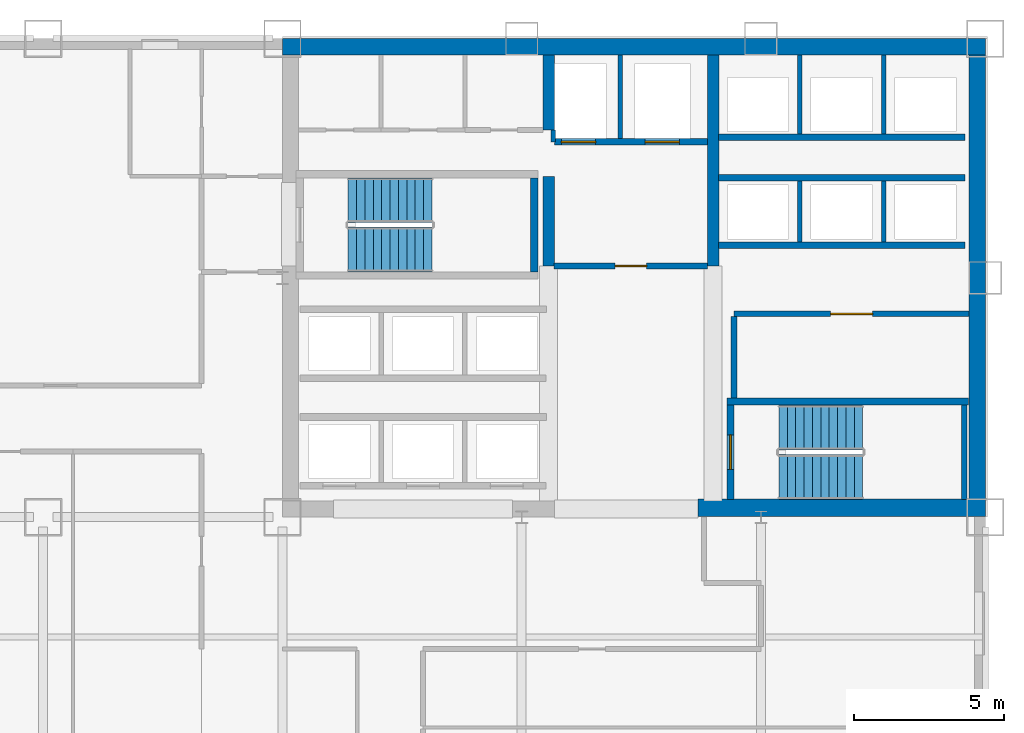
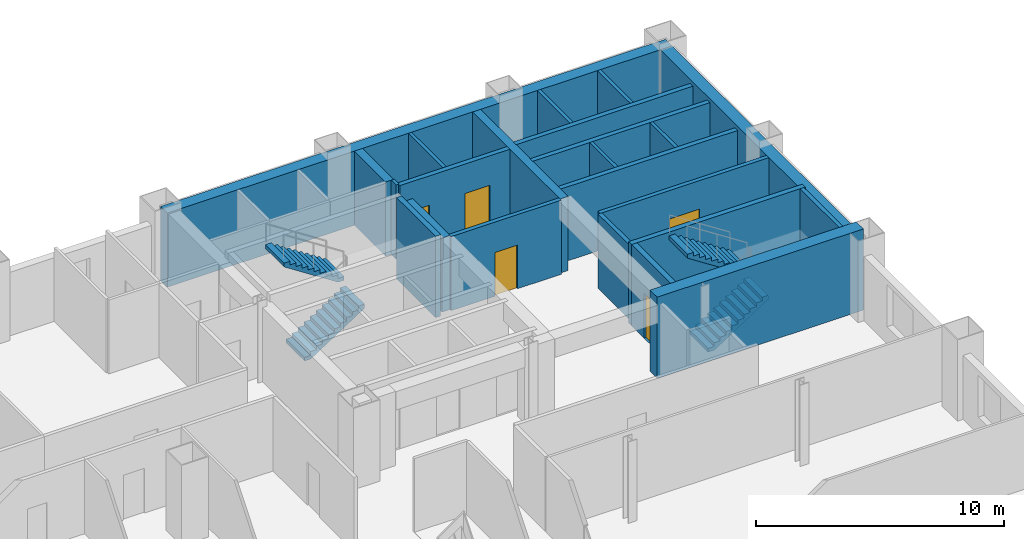
# One storey, part 7 of 9: 23 walls, 5 doors, 4 stair flights, 5 openings, 2 elements without a shape of their own.
"""IFC4 building model written with IfcOpenShell, lengths in metres."""

import ifcopenshell
import ifcopenshell.guid

model = None  # the IFC model being written
_history = None  # IfcOwnerHistory: only IFC2X3 demands one
_inside = {}  # id of a spatial element -> (the spatial element, [elements in it])
_under = {}  # id of a project, library or spatial element -> (it, [spatial elements below it])
_declared = {}  # id of a project -> (the project, [libraries it declares])
_typed = {}  # id of a type object -> (the type object, [elements of that type])
_made_of = {}  # id of a material, layer set ... -> (it, [elements and type objects made of it])


def new_model(schema):
    """Start an empty IFC model of exactly this schema.

    Asked for "IFC4X3", IfcOpenShell would pick the latest addendum, in which some entities
    have other attributes; the version numbers below select the first issue.
    IFC2X3 requires an IfcOwnerHistory on every rooted entity: one is made here for all.
    """
    global model, _history
    if schema == "IFC4X3":
        model = ifcopenshell.file(schema_version=(4, 3, 0, 0))
    else:
        model = ifcopenshell.file(schema=schema)
    _inside.clear()
    _under.clear()
    _declared.clear()
    _typed.clear()
    _made_of.clear()
    _history = None
    if model.schema == "IFC2X3":
        org = make("IfcOrganization", Name="unknown")
        user = make(
            "IfcPersonAndOrganization",
            ThePerson=make("IfcPerson", FamilyName="unknown"),
            TheOrganization=org,
        )
        app = make(
            "IfcApplication",
            ApplicationDeveloper=org,
            Version="unknown",
            ApplicationFullName="unknown",
            ApplicationIdentifier="unknown",
        )
        _history = make(
            "IfcOwnerHistory",
            OwningUser=user,
            OwningApplication=app,
            ChangeAction="ADDED",
            CreationDate=0,
        )
    return model


def make(cls, **values):
    """One entity of the class cls with the attributes given. An attribute that is None is left unset."""
    return model.create_entity(
        cls, **{name: value for name, value in values.items() if value is not None}
    )


def rooted(cls, **values):
    """An entity with a GlobalId (a new one), such as an element, a storey or a relation."""
    return make(cls, GlobalId=ifcopenshell.guid.new(), OwnerHistory=_history, **values)


def si_unit(unit_type, name, prefix=None):
    """IfcSIUnit, for example si_unit("LENGTHUNIT", "METRE", prefix="MILLI")."""
    return make("IfcSIUnit", UnitType=unit_type, Prefix=prefix, Name=name)


def assignment(units):
    """IfcUnitAssignment: the units of a project."""
    return None if units is None else make("IfcUnitAssignment", Units=units)


def point(xyz):
    """IfcCartesianPoint."""
    return None if xyz is None else make("IfcCartesianPoint", Coordinates=xyz)


def direction(xyz):
    """IfcDirection."""
    return None if xyz is None else make("IfcDirection", DirectionRatios=xyz)


def frame(location, z_axis=None, x_axis=None):
    """IfcAxis2Placement3D, a coordinate frame: its origin and axes. An axis left out is left unset."""
    return make(
        "IfcAxis2Placement3D",
        Location=point(location),
        Axis=direction(z_axis),
        RefDirection=direction(x_axis),
    )


def frame_2d(location, x_axis=None):
    """IfcAxis2Placement2D, a coordinate frame in the plane: its origin and x axis."""
    return make(
        "IfcAxis2Placement2D", Location=point(location), RefDirection=direction(x_axis)
    )


def origin():
    """The frame at (0, 0, 0) with its axes left unset."""
    return frame((0.0, 0.0, 0.0))


def place(relative_to, where):
    """IfcLocalPlacement: puts the frame where relative to a parent placement (None: the world)."""
    return make(
        "IfcLocalPlacement", PlacementRelTo=relative_to, RelativePlacement=where
    )


def context(
    kind, dimensions, precision=None, world=None, true_north=None, identifier=None
):
    """IfcGeometricRepresentationContext, for example the 3D "Model" context."""
    return make(
        "IfcGeometricRepresentationContext",
        ContextIdentifier=identifier,
        ContextType=kind,
        CoordinateSpaceDimension=dimensions,
        Precision=precision,
        WorldCoordinateSystem=world,
        TrueNorth=true_north,
    )


def subcontext(parent, identifier, kind, view, scale=None):
    """IfcGeometricRepresentationSubContext, for example "Body" below "Model"."""
    return make(
        "IfcGeometricRepresentationSubContext",
        ContextIdentifier=identifier,
        ContextType=kind,
        ParentContext=parent,
        TargetScale=scale,
        TargetView=view,
    )


def project(units=None, contexts=None):
    """IfcProject with its units and contexts."""
    return rooted(
        "IfcProject",
        Name="project",
        RepresentationContexts=contexts,
        UnitsInContext=assignment(units),
    )


def spatial(cls, under=None, at=None, **own):
    """A site, building, storey or space (cls), placed at a placement, below another one or the project."""
    s = rooted(cls, ObjectPlacement=at, **own)
    if under is not None:
        _under.setdefault(under.id(), (under, []))[1].append(s)
    return s


def polyline(points):
    """IfcPolyline through the points."""
    return make("IfcPolyline", Points=[point(p) for p in points])


def profile(cls, at=None, kind="AREA", **sizes):
    """A parametric profile (cls). Its sizes go by their IFC names, for example OverallWidth=200.0."""
    return make(cls, ProfileType=kind, Position=at, **sizes)


def rectangle(**sizes):
    """IfcRectangleProfileDef."""
    return profile("IfcRectangleProfileDef", **sizes)


def outline(outer, holes=None, kind="AREA"):
    """IfcArbitraryClosedProfileDef: a profile drawn as a closed curve; with holes, ...WithVoids."""
    if holes is None:
        return make("IfcArbitraryClosedProfileDef", ProfileType=kind, OuterCurve=outer)
    return make(
        "IfcArbitraryProfileDefWithVoids",
        ProfileType=kind,
        OuterCurve=outer,
        InnerCurves=holes,
    )


def extrude(swept, where, along, depth):
    """IfcExtrudedAreaSolid: the profile swept, set in the frame where, extruded along a direction by depth."""
    return make(
        "IfcExtrudedAreaSolid",
        SweptArea=swept,
        Position=where,
        ExtrudedDirection=direction(along),
        Depth=depth,
    )


def shape(context_of_items, identifier, shape_type, items):
    """IfcShapeRepresentation: the items that make up one representation, for example the "Body"."""
    return make(
        "IfcShapeRepresentation",
        ContextOfItems=context_of_items,
        RepresentationIdentifier=identifier,
        RepresentationType=shape_type,
        Items=items,
    )


def material(Name=None, Category=None):
    """IfcMaterial."""
    return make("IfcMaterial", Name=Name, Category=Category)


def layer(
    of_material, thickness, ventilated=None, Name=None, Category=None, Priority=None
):
    """IfcMaterialLayer: one layer of a wall or slab, of a material (None: an air gap)."""
    return make(
        "IfcMaterialLayer",
        Material=of_material,
        LayerThickness=thickness,
        IsVentilated=ventilated,
        Name=Name,
        Category=Category,
        Priority=Priority,
    )


def layer_set(layers, Name=None):
    """IfcMaterialLayerSet."""
    return make("IfcMaterialLayerSet", MaterialLayers=layers, LayerSetName=Name)


def made_of(thing, what):
    """Note that an element or type object is made of a material, layer set ...; save() writes the relation."""
    if what is not None:
        _made_of.setdefault(what.id(), (what, []))[1].append(thing)
    return thing


def type_object(cls, material=None, **own):
    """A type object (cls), such as IfcWallType, which elements share."""
    return made_of(rooted(cls, **own), material)


def element(
    cls,
    number,
    at=None,
    inside=None,
    cuts=None,
    type_object=None,
    material=None,
    context=None,
    identifier="Body",
    shape_type=None,
    held_by="IfcProductDefinitionShape",
    body=None,
    shapes=None,
    **own,
):
    """One element of the class cls, such as IfcWall. Its Tag is "e" and its number.

    at: its placement. inside: the storey or other place that contains it. cuts: it is an
    opening in that element (IfcRelVoidsElement). A single representation is given by context,
    identifier, shape_type and body (its items); several are given by shapes. held_by: the class
    of the entity that holds the representations. save() writes the other relations.
    """
    e = rooted(cls, Tag="e%d" % number, ObjectPlacement=at, **own)
    if body is not None:
        shapes = [shape(context, identifier, shape_type, body)]
    if shapes is not None:
        e.Representation = make(held_by, Representations=shapes)
    if inside is not None:
        _inside.setdefault(inside.id(), (inside, []))[1].append(e)
    if cuts is not None:
        rooted(
            "IfcRelVoidsElement", RelatingBuildingElement=cuts, RelatedOpeningElement=e
        )
    if type_object is not None:
        _typed.setdefault(type_object.id(), (type_object, []))[1].append(e)
    return made_of(e, material)


def fill(opening, filler):
    """IfcRelFillsElement: the door or window that sits in an opening."""
    return rooted(
        "IfcRelFillsElement",
        RelatingOpeningElement=opening,
        RelatedBuildingElement=filler,
    )


def aggregate(whole, parts):
    """IfcRelAggregates: a whole, such as a stair, and the parts it consists of."""
    return rooted("IfcRelAggregates", RelatingObject=whole, RelatedObjects=parts)


def save(model, path):
    """Write the relations noted so far, then the file.

    IfcRelAggregates (storeys below a building ...), IfcRelContainedInSpatialStructure (elements
    in a storey), IfcRelDefinesByType, IfcRelAssociatesMaterial and IfcRelDeclares: one each for
    every whole, place, type object, material and project.
    """
    for whole, parts in _under.values():
        aggregate(whole, parts)
    for where, things in _inside.values():
        rooted(
            "IfcRelContainedInSpatialStructure",
            RelatedElements=things,
            RelatingStructure=where,
        )
    for kind, things in _typed.values():
        rooted("IfcRelDefinesByType", RelatedObjects=things, RelatingType=kind)
    for what, things in _made_of.values():
        rooted("IfcRelAssociatesMaterial", RelatedObjects=things, RelatingMaterial=what)
    for by, libraries in _declared.values():
        rooted("IfcRelDeclares", RelatingContext=by, RelatedDefinitions=libraries)
    model.write(path)


model = new_model("IFC4")

# Units and contexts
model_context = context("Model", 3, precision=1e-05, world=origin(), true_north=direction((0.0, 1.0)))
body_context = subcontext(model_context, "Body", "Model", "MODEL_VIEW")
ifc_project = project(units=[si_unit("LENGTHUNIT", "METRE"), si_unit("AREAUNIT", "SQUARE_METRE"), si_unit("VOLUMEUNIT", "CUBIC_METRE"), si_unit("PLANEANGLEUNIT", "RADIAN"), si_unit("MASSUNIT", "GRAM", prefix="KILO")], contexts=[model_context])

# Site, building, storey
site_placement = place(None, origin())
site = spatial("IfcSite", under=ifc_project, at=site_placement, CompositionType="ELEMENT")
building_placement = place(site_placement, origin())
building = spatial("IfcBuilding", under=site, at=building_placement, Name="Qianrong Seaharbour Tower", CompositionType="ELEMENT")
storey_placement = place(building_placement, frame((0.0, 0.0, 104.199951171875)))
storey = spatial("IfcBuildingStorey", under=building, at=storey_placement, Name="L25", CompositionType="ELEMENT", Elevation=104.199951171875)

# Walls
ifc_material_1 = material(Name="Concrete C70/85", Category="concrete")
ifc_layer_1 = layer(ifc_material_1, 0.5400390625)
ifc_layer_set_1 = layer_set([ifc_layer_1], Name="Concrete C70/85")
wall_type_1 = type_object("IfcWallType", Name="WALL-CORE-540", PredefinedType="SHEAR", material=ifc_layer_set_1)
wall_1_placement = place(storey_placement, frame((40.5, 51.72998046875, 0.0), z_axis=(0.0, 0.0, 1.0), x_axis=(1.0, 0.0, 0.0)))
element("IfcWall", 1, at=wall_1_placement, inside=storey, type_object=wall_type_1, Name="L25 North Core Shear Wall", PredefinedType="SHEAR", context=body_context, shape_type="SweptSolid", body=[
    extrude(rectangle(XDim=23.5, YDim=0.5400390625, at=frame_2d((11.75, 0.0))), origin(), (0.0, 0.0, 1.0), 3.650146484375),
])
wall_2_placement = place(storey_placement, frame((63.72998046875, 36.320068359375, 0.0), z_axis=(0.0, 0.0, 1.0), x_axis=(0.0, 1.0, 0.0)))
element("IfcWall", 2, at=wall_2_placement, inside=storey, type_object=wall_type_1, Name="L25 East Core Shear Wall", PredefinedType="SHEAR", context=body_context, shape_type="SweptSolid", body=[
    extrude(rectangle(XDim=15.139892578125, YDim=0.5400390625, at=frame_2d((7.56982421875, 0.0))), origin(), (0.0, 0.0, 1.0), 3.650146484375),
])
ifc_layer_2 = layer(ifc_material_1, 0.580078125)
ifc_layer_set_2 = layer_set([ifc_layer_2], Name="Concrete C70/85")
wall_type_2 = type_object("IfcWallType", Name="WALL-CORE-580", PredefinedType="SHEAR", material=ifc_layer_set_2)
wall_3_placement = place(storey_placement, frame((54.39990234375, 36.320068359375, 0.0), z_axis=(0.0, 0.0, 1.0), x_axis=(1.0, 0.0, 0.0)))
element("IfcWall", 3, at=wall_3_placement, inside=storey, type_object=wall_type_2, Name="L25 South Core Shear Wall S3", PredefinedType="SHEAR", context=body_context, shape_type="SweptSolid", body=[
    extrude(rectangle(XDim=9.60009765625, YDim=0.580078125, at=frame_2d((4.800048828125, 0.0))), origin(), (0.0, 0.0, 1.0), 4.0),
])
ifc_material_2 = material(Name="Concrete C60/75", Category="concrete")
ifc_layer_3 = layer(ifc_material_2, 0.3798828125)
ifc_layer_set_3 = layer_set([ifc_layer_3], Name="Concrete C60/75")
wall_type_3 = type_object("IfcWallType", Name="WALL-CORE-INT-380", PredefinedType="SHEAR", material=ifc_layer_set_3)
wall_4_placement = place(storey_placement, frame((49.39990234375, 44.39990234375, 0.0), z_axis=(0.0, 0.0, 1.0), x_axis=(0.0, 1.0, 0.0)))
element("IfcWall", 4, at=wall_4_placement, inside=storey, type_object=wall_type_3, Name="L25 Internal Core Shear Wall IW1N1", PredefinedType="SHEAR", context=body_context, shape_type="SweptSolid", body=[
    extrude(rectangle(XDim=3.0, YDim=0.3798828125, at=frame_2d((1.5, 0.0))), origin(), (0.0, 0.0, 1.0), 3.650146484375),
])
wall_5_placement = place(storey_placement, frame((49.39990234375, 48.949951171875, 0.0), z_axis=(0.0, 0.0, 1.0), x_axis=(0.0, 1.0, 0.0)))
element("IfcWall", 5, at=wall_5_placement, inside=storey, type_object=wall_type_3, Name="L25 Internal Core Shear Wall IW1N2", PredefinedType="SHEAR", context=body_context, shape_type="SweptSolid", body=[
    extrude(rectangle(XDim=2.510009765625, YDim=0.3798828125, at=frame_2d((1.2548828125, 0.0))), origin(), (0.0, 0.0, 1.0), 3.650146484375),
])
wall_6_placement = place(storey_placement, frame((54.89990234375, 44.39990234375, 0.0), z_axis=(0.0, 0.0, 1.0), x_axis=(0.0, 1.0, 0.0)))
element("IfcWall", 6, at=wall_6_placement, inside=storey, type_object=wall_type_3, Name="L25 Internal Core Shear Wall IW2N", PredefinedType="SHEAR", context=body_context, shape_type="SweptSolid", body=[
    extrude(rectangle(XDim=7.06005859375, YDim=0.3798828125, at=frame_2d((3.530029296875, 0.0))), origin(), (0.0, 0.0, 1.0), 3.650146484375),
])

# Wall, opening, door
ifc_material_3 = material(Name="Double fire-rated gypsum board acoustic partition")
ifc_layer_4 = layer(ifc_material_3, 0.18994140625)
ifc_layer_set_4 = layer_set([ifc_layer_4], Name="Double fire-rated gypsum board acoustic partition")
wall_type_4 = type_object("IfcWallType", Name="WALL-FIRE-PART-190", PredefinedType="PARTITIONING", material=ifc_layer_set_4)
wall_7_placement = place(storey_placement, frame((54.718017578125, 44.39990234375, 0.0), z_axis=(0.0, 0.0, 1.0), x_axis=(-1.0, 0.0, 0.0)))
wall_7 = element("IfcWall", 7, at=wall_7_placement, inside=storey, type_object=wall_type_4, Name="L25 Interior Partition Wall 010", PredefinedType="PARTITIONING", context=body_context, shape_type="SweptSolid", body=[
    extrude(rectangle(XDim=5.135986328125, YDim=0.18994140625, at=frame_2d((2.56787109375, 0.0))), origin(), (0.0, 0.0, 1.0), 3.650146484375),
])
opening_1_placement = place(wall_7_placement, frame((2.04296875, 0.0, 0.0)))
opening_1 = element("IfcOpeningElement", 8, at=opening_1_placement, cuts=wall_7, Name="Opening DC-01", PredefinedType="OPENING", context=body_context, shape_type="SweptSolid", body=[
    extrude(rectangle(XDim=1.050048828125, YDim=2.14990234375, at=frame_2d((0.52490234375, 1.074951171875))), frame((0.0, 0.10498046875, 0.0), z_axis=(0.0, -1.0, 0.0), x_axis=(1.0, 0.0, 0.0)), (0.0, 0.0, 1.0), 0.2099609375),
])
ifc_material_4 = material(Name="Acoustic timber and galvanized steel fire door assembly", Category="steel")
door_type_1 = type_object("IfcDoorType", Name="DOOR-CORR-FD60-1050x2150", OperationType="NOTDEFINED", PredefinedType="DOOR", material=ifc_material_4)
door_1_placement = place(opening_1_placement, origin())
door_1 = element("IfcDoor", 9, at=door_1_placement, inside=storey, type_object=door_type_1, Name="L25 Firefighting Lift Lobby Door", OperationType="SINGLE_SWING_RIGHT", OverallHeight=2.14990234375, OverallWidth=1.050048828125, PredefinedType="DOOR", context=body_context, shape_type="SweptSolid", body=[
    extrude(rectangle(XDim=1.050048828125, YDim=2.14990234375, at=frame_2d((0.52490234375, 1.074951171875))), frame((0.0, 0.02490234375, 0.0), z_axis=(0.0, -1.0, 0.0), x_axis=(1.0, 0.0, 0.0)), (0.0, 0.0, 1.0), 0.050048828125),
])
fill(opening_1, door_1)

# Wall
wall_8_placement = place(storey_placement, frame((55.60009765625, 42.712890625, 0.0), z_axis=(0.0, 0.0, 1.0), x_axis=(0.0, -1.0, 0.0)))
element("IfcWall", 10, at=wall_8_placement, inside=storey, type_object=wall_type_4, Name="L25 Interior Partition Wall 011", PredefinedType="PARTITIONING", context=body_context, shape_type="SweptSolid", body=[
    extrude(rectangle(XDim=2.73095703125, YDim=0.18994140625, at=frame_2d((1.365478515625, 0.0))), origin(), (0.0, 0.0, 1.0), 3.650146484375),
])

# Wall, opening, door
wall_9_placement = place(storey_placement, frame((63.4599609375, 42.800048828125, 0.0), z_axis=(0.0, 0.0, 1.0), x_axis=(-1.0, 0.0, 0.0)))
wall_9 = element("IfcWall", 11, at=wall_9_placement, inside=storey, type_object=wall_type_4, Name="L25 Interior Partition Wall 012", PredefinedType="PARTITIONING", context=body_context, shape_type="SweptSolid", body=[
    extrude(rectangle(XDim=7.85986328125, YDim=0.18994140625, at=frame_2d((3.929931640625, 0.0))), origin(), (0.0, 0.0, 1.0), 3.650146484375),
])
opening_2_placement = place(wall_9_placement, frame((3.22998046875, 0.0, 0.0)))
opening_2 = element("IfcOpeningElement", 12, at=opening_2_placement, cuts=wall_9, Name="Opening DP-01", PredefinedType="OPENING", context=body_context, shape_type="SweptSolid", body=[
    extrude(rectangle(XDim=1.39990234375, YDim=2.25, at=frame_2d((0.699951171875, 1.125))), frame((0.0, 0.10498046875, 0.0), z_axis=(0.0, -1.0, 0.0), x_axis=(1.0, 0.0, 0.0)), (0.0, 0.0, 1.0), 0.2099609375),
])
door_type_2 = type_object("IfcDoorType", Name="DOOR-PLANT-PAIR-1400x2250", OperationType="DOUBLE_DOOR_SINGLE_SWING", PredefinedType="DOOR", material=ifc_material_4)
door_2_placement = place(opening_2_placement, origin())
door_2 = element("IfcDoor", 13, at=door_2_placement, inside=storey, type_object=door_type_2, Name="L25 Core Telecom Hub Room Door", OperationType="DOUBLE_DOOR_SINGLE_SWING", OverallHeight=2.25, OverallWidth=1.39990234375, PredefinedType="DOOR", context=body_context, shape_type="SweptSolid", body=[
    extrude(rectangle(XDim=1.39990234375, YDim=2.25, at=frame_2d((0.699951171875, 1.125))), frame((0.0, 0.02490234375, 0.0), z_axis=(0.0, -1.0, 0.0), x_axis=(1.0, 0.0, 0.0)), (0.0, 0.0, 1.0), 0.050048828125),
])
fill(opening_2, door_2)

# Walls
ifc_material_5 = material(Name="Fire-rated gypsum board on steel studs", Category="steel")
ifc_layer_5 = layer(ifc_material_5, 0.14990234375)
ifc_layer_set_5 = layer_set([ifc_layer_5], Name="Fire-rated gypsum board on steel studs")
wall_type_5 = type_object("IfcWallType", Name="WALL-SHAFT-DIV-150", PredefinedType="PARTITIONING", material=ifc_layer_set_5)
wall_10_placement = place(storey_placement, frame((51.800048828125, 48.669921875, 0.0), z_axis=(0.0, 0.0, 1.0), x_axis=(0.0, 1.0, 0.0)))
element("IfcWall", 14, at=wall_10_placement, inside=storey, type_object=wall_type_5, Name="L25 Firefighting Lift Shaft Divider Wall", PredefinedType="PARTITIONING", context=body_context, shape_type="SweptSolid", body=[
    extrude(rectangle(XDim=2.7900390625, YDim=0.14990234375, at=frame_2d((1.39501953125, 0.0))), origin(), (0.0, 0.0, 1.0), 3.650146484375),
])
wall_11_placement = place(storey_placement, frame((49.550048828125, 48.550048828125, 0.0), z_axis=(0.0, 0.0, 1.0), x_axis=(0.0, 1.0, 0.0)))
element("IfcWall", 15, at=wall_11_placement, inside=storey, type_object=wall_type_5, Name="L25 Firefighting Lift Shaft West Return Wall", PredefinedType="PARTITIONING", context=body_context, shape_type="SweptSolid", body=[
    extrude(rectangle(XDim=0.39990234375, YDim=0.14990234375, at=frame_2d((0.199951171875, 0.0))), origin(), (0.0, 0.0, 1.0), 3.650146484375),
])
for number, where, z_axis, x_axis, name in (
    (16, (57.800048828125, 45.2099609375, 0.0), (0.0, 0.0, 1.0), (0.0, 1.0, 0.0), "L25 P3 Lift Hoistway Divider 2"),
    (17, (60.60009765625, 45.2099609375, 0.0), (0.0, 0.0, 1.0), (0.0, 1.0, 0.0), "L25 P3 Lift Hoistway Divider 3"),
):
    element("IfcWall", number, at=place(storey_placement, frame(where, z_axis=z_axis, x_axis=x_axis)), inside=storey, type_object=wall_type_5, Name=name, PredefinedType="PARTITIONING", context=body_context, shape_type="SweptSolid", body=[
        extrude(rectangle(XDim=2.030029296875, YDim=0.14990234375, at=frame_2d((1.01513671875, 0.0))), origin(), (0.0, 0.0, 1.0), 3.650146484375),
    ])
for number, where, z_axis, x_axis, name in (
    (18, (57.800048828125, 48.81005859375, 0.0), (0.0, 0.0, 1.0), (0.0, 1.0, 0.0), "L25 P4 Lift Hoistway Divider 2"),
    (19, (60.60009765625, 48.81005859375, 0.0), (0.0, 0.0, 1.0), (0.0, 1.0, 0.0), "L25 P4 Lift Hoistway Divider 3"),
):
    element("IfcWall", number, at=place(storey_placement, frame(where, z_axis=z_axis, x_axis=x_axis)), inside=storey, type_object=wall_type_5, Name=name, PredefinedType="PARTITIONING", context=body_context, shape_type="SweptSolid", body=[
        extrude(rectangle(XDim=2.64990234375, YDim=0.14990234375, at=frame_2d((1.324951171875, 0.0))), origin(), (0.0, 0.0, 1.0), 3.650146484375),
    ])

# Wall, openings, doors
ifc_layer_6 = layer(ifc_material_5, 0.219970703125)
ifc_layer_set_6 = layer_set([ifc_layer_6], Name="Fire-rated gypsum board on steel studs")
wall_type_6 = type_object("IfcWallType", Name="WALL-SHAFT-GYP220", PredefinedType="PARTITIONING", material=ifc_layer_set_6)
wall_12_placement = place(storey_placement, frame((54.7099609375, 48.550048828125, 0.0), z_axis=(0.0, 0.0, 1.0), x_axis=(-1.0, 0.0, 0.0)))
wall_12 = element("IfcWall", 20, at=wall_12_placement, inside=storey, type_object=wall_type_6, Name="L25 Firefighting Lift Shaft Front Wall", PredefinedType="PARTITIONING", context=body_context, shape_type="SweptSolid", body=[
    extrude(rectangle(XDim=5.119873046875, YDim=0.219970703125, at=frame_2d((2.56005859375, 0.0))), origin(), (0.0, 0.0, 1.0), 3.650146484375),
])
opening_3_placement = place(wall_12_placement, frame((3.735107421875, 0.0, 0.0)))
opening_3 = element("IfcOpeningElement", 21, at=opening_3_placement, cuts=wall_12, Name="Opening LD-01", PredefinedType="OPENING", context=body_context, shape_type="SweptSolid", body=[
    extrude(rectangle(XDim=1.14990234375, YDim=2.199951171875, at=frame_2d((0.574951171875, 1.10009765625))), frame((0.0, 0.1201171875, 0.0), z_axis=(0.0, -1.0, 0.0), x_axis=(1.0, 0.0, 0.0)), (0.0, 0.0, 1.0), 0.239990234375),
])
opening_4_placement = place(wall_12_placement, frame((0.93505859375, 0.0, 0.0)))
opening_4 = element("IfcOpeningElement", 22, at=opening_4_placement, cuts=wall_12, Name="Opening LD-01", PredefinedType="OPENING", context=body_context, shape_type="SweptSolid", body=[
    extrude(rectangle(XDim=1.14990234375, YDim=2.199951171875, at=frame_2d((0.574951171875, 1.10009765625))), frame((0.0, 0.1201171875, 0.0), z_axis=(0.0, -1.0, 0.0), x_axis=(1.0, 0.0, 0.0)), (0.0, 0.0, 1.0), 0.239990234375),
])
ifc_material_6 = material(Name="Stainless steel SUS316L bi-parting lift landing door", Category="steel")
door_type_3 = type_object("IfcDoorType", Name="DOOR-LIFT-FF-1150x2200", OperationType="DOUBLE_DOOR_SLIDING", PredefinedType="DOOR", material=ifc_material_6)
door_3_placement = place(opening_3_placement, origin())
door_3 = element("IfcDoor", 23, at=door_3_placement, inside=storey, type_object=door_type_3, Name="L25 FL-1 Firefighting Lift Landing Door", OperationType="DOUBLE_DOOR_SLIDING", OverallHeight=2.199951171875, OverallWidth=1.14990234375, PredefinedType="DOOR", context=body_context, shape_type="SweptSolid", body=[
    extrude(rectangle(XDim=1.14990234375, YDim=2.199951171875, at=frame_2d((0.574951171875, 1.10009765625))), frame((0.0, 0.02490234375, 0.0), z_axis=(0.0, -1.0, 0.0), x_axis=(1.0, 0.0, 0.0)), (0.0, 0.0, 1.0), 0.050048828125),
])
fill(opening_3, door_3)
door_4_placement = place(opening_4_placement, origin())
door_4 = element("IfcDoor", 24, at=door_4_placement, inside=storey, type_object=door_type_3, Name="L25 FL-2 Firefighting Lift Landing Door", OperationType="DOUBLE_DOOR_SLIDING", OverallHeight=2.199951171875, OverallWidth=1.14990234375, PredefinedType="DOOR", context=body_context, shape_type="SweptSolid", body=[
    extrude(rectangle(XDim=1.14990234375, YDim=2.199951171875, at=frame_2d((0.574951171875, 1.10009765625))), frame((0.0, 0.02490234375, 0.0), z_axis=(0.0, -1.0, 0.0), x_axis=(1.0, 0.0, 0.0)), (0.0, 0.0, 1.0), 0.050048828125),
])
fill(opening_4, door_4)

# Walls
for number, where, z_axis, x_axis, name in (
    (25, (63.320068359375, 45.10009765625, 0.0), (0.0, 0.0, 1.0), (-1.0, 0.0, 0.0), "L25 P3 Lift Hoistway Front Wall"),
    (26, (55.080078125, 47.35009765625, 0.0), (0.0, 0.0, 1.0), (1.0, 0.0, 0.0), "L25 P3 Lift Hoistway Back Wall"),
    (27, (63.320068359375, 48.699951171875, 0.0), (0.0, 0.0, 1.0), (-1.0, 0.0, 0.0), "L25 P4 Lift Hoistway Front Wall"),
):
    element("IfcWall", number, at=place(storey_placement, frame(where, z_axis=z_axis, x_axis=x_axis)), inside=storey, type_object=wall_type_6, Name=name, PredefinedType="PARTITIONING", context=body_context, shape_type="SweptSolid", body=[
        extrude(rectangle(XDim=8.239990234375, YDim=0.219970703125, at=frame_2d((4.1201171875, 0.0))), origin(), (0.0, 0.0, 1.0), 3.650146484375),
    ])
ifc_material_7 = material(Name="Concrete C50/60", Category="concrete")
ifc_layer_7 = layer(ifc_material_7, 0.239990234375)
ifc_layer_set_7 = layer_set([ifc_layer_7], Name="Concrete C50/60")
wall_type_7 = type_object("IfcWallType", Name="WALL-SHAFT-RC240", PredefinedType="SOLIDWALL", material=ifc_layer_set_7)
wall_13_placement = place(storey_placement, frame((48.919921875, 44.199951171875, 0.0), z_axis=(0.0, 0.0, 1.0), x_axis=(0.0, 1.0, 0.0)))
element("IfcWall", 28, at=wall_13_placement, inside=storey, type_object=wall_type_7, Name="L25 ST-1 Structural Stair Core Wall E", PredefinedType="SOLIDWALL", context=body_context, shape_type="SweptSolid", body=[
    extrude(rectangle(XDim=3.150146484375, YDim=0.239990234375, at=frame_2d((1.5751953125, 0.0))), origin(), (0.0, 0.0, 1.0), 4.0),
])
wall_14_placement = place(storey_placement, frame((55.360107421875, 39.8701171875, 0.0), z_axis=(0.0, 0.0, 1.0), x_axis=(1.0, 0.0, 0.0)))
element("IfcWall", 29, at=wall_14_placement, inside=storey, type_object=wall_type_7, Name="L25 ST-2 Structural Stair Core Wall N", PredefinedType="SOLIDWALL", context=body_context, shape_type="SweptSolid", body=[
    extrude(rectangle(XDim=8.079833984375, YDim=0.239990234375, at=frame_2d((4.0400390625, 0.0))), origin(), (0.0, 0.0, 1.0), 4.0),
])

# Wall, opening, door
wall_15_placement = place(storey_placement, frame((55.47998046875, 39.75, 0.0), z_axis=(0.0, 0.0, 1.0), x_axis=(0.0, -1.0, 0.0)))
wall_15 = element("IfcWall", 30, at=wall_15_placement, inside=storey, type_object=wall_type_7, Name="L25 ST-2 Structural Stair Core Wall W", PredefinedType="SOLIDWALL", context=body_context, shape_type="SweptSolid", body=[
    extrude(rectangle(XDim=3.14990234375, YDim=0.239990234375, at=frame_2d((1.574951171875, 0.0))), origin(), (0.0, 0.0, 1.0), 4.0),
])
opening_5_placement = place(wall_15_placement, frame((1.0, 0.0, 0.0)))
opening_5 = element("IfcOpeningElement", 31, at=opening_5_placement, cuts=wall_15, Name="Opening SD-01", PredefinedType="OPENING", context=body_context, shape_type="SweptSolid", body=[
    extrude(rectangle(XDim=1.14990234375, YDim=2.199951171875, at=frame_2d((0.574951171875, 1.10009765625))), frame((0.0, 0.1298828125, 0.0), z_axis=(0.0, -1.0, 0.0), x_axis=(1.0, 0.0, 0.0)), (0.0, 0.0, 1.0), 0.260009765625),
])
door_type_4 = type_object("IfcDoorType", Name="DOOR-STAIR-FD60-1150x2200", OperationType="NOTDEFINED", PredefinedType="DOOR", material=ifc_material_4)
door_5_placement = place(opening_5_placement, origin())
door_5 = element("IfcDoor", 32, at=door_5_placement, inside=storey, type_object=door_type_4, Name="L25 ST-2 Protected Stair Door", OperationType="SINGLE_SWING_RIGHT", OverallHeight=2.199951171875, OverallWidth=1.14990234375, PredefinedType="DOOR", context=body_context, shape_type="SweptSolid", body=[
    extrude(rectangle(XDim=1.14990234375, YDim=2.199951171875, at=frame_2d((0.574951171875, 1.10009765625))), frame((0.0, 0.02490234375, 0.0), z_axis=(0.0, -1.0, 0.0), x_axis=(1.0, 0.0, 0.0)), (0.0, 0.0, 1.0), 0.050048828125),
])
fill(opening_5, door_5)

# Wall
wall_16_placement = place(storey_placement, frame((63.2900390625, 36.60009765625, 0.0), z_axis=(0.0, 0.0, 1.0), x_axis=(0.0, 1.0, 0.0)))
element("IfcWall", 33, at=wall_16_placement, inside=storey, type_object=wall_type_7, Name="L25 ST-2 Structural Stair Core Wall E", PredefinedType="SOLIDWALL", context=body_context, shape_type="SweptSolid", body=[
    extrude(rectangle(XDim=3.14990234375, YDim=0.179931640625, at=frame_2d((1.574951171875, 0.0))), origin(), (0.0, 0.0, 1.0), 4.0),
])

# Stair, stair flights
stair_type = type_object("IfcStairType", Name="STAIR-DOGLEG-1500-R22", PredefinedType="HALF_TURN_STAIR", material=ifc_material_7)
stair_1_placement = place(storey_placement, origin())
stair_1 = element("IfcStair", 34, at=stair_1_placement, inside=storey, type_object=stair_type, Name="L25 Protected Escape Stair ST-1", PredefinedType="HALF_TURN_STAIR")
stair_flight_type = type_object("IfcStairFlightType", Name="FLIGHT-STR-1500-R22", PredefinedType="STRAIGHT", material=ifc_material_7)
stair_flight_1_placement = place(storey_placement, frame((42.699951171875, 44.949951171875, 0.0), z_axis=(0.0, 0.0, 1.0), x_axis=(1.0, 0.0, 0.0)))
stair_flight_1 = element("IfcStairFlight", 35, at=stair_flight_1_placement, type_object=stair_flight_type, Name="ST-1 flight 1", NumberOfRisers=11, NumberOfTreads=10, PredefinedType="STRAIGHT", RiserHeight=0.181818182, TreadLength=0.28, context=body_context, shape_type="SweptSolid", body=[
    extrude(outline(polyline([(0.0, 0.0), (0.0, 0.181884765625), (0.280029296875, 0.181884765625), (0.280029296875, 0.363525390625), (0.56005859375, 0.363525390625), (0.56005859375, 0.54541015625), (0.840087890625, 0.54541015625), (0.840087890625, 0.727294921875), (1.1201171875, 0.727294921875), (1.1201171875, 0.9091796875), (1.39990234375, 0.9091796875), (1.39990234375, 1.0908203125), (1.679931640625, 1.0908203125), (1.679931640625, 1.272705078125), (1.9599609375, 1.272705078125), (1.9599609375, 1.45458984375), (2.239990234375, 1.45458984375), (2.239990234375, 1.636474609375), (2.52001953125, 1.636474609375), (2.52001953125, 1.818115234375), (2.800048828125, 1.818115234375), (2.800048828125, 2.0), (2.800048828125, 1.62744140625), (0.293701171875, 0.0), (0.0, 0.0)])), frame((0.0, 0.75, 0.0), z_axis=(0.0, -1.0, 0.0), x_axis=(1.0, 0.0, 0.0)), (0.0, 0.0, 1.0), 1.5),
])
stair_flight_2_placement = place(storey_placement, frame((45.5, 46.60009765625, 2.0), z_axis=(0.0, 0.0, 1.0), x_axis=(-1.0, 0.0, 0.0)))
stair_flight_2 = element("IfcStairFlight", 36, at=stair_flight_2_placement, type_object=stair_flight_type, Name="ST-1 flight 2", NumberOfRisers=11, NumberOfTreads=10, PredefinedType="STRAIGHT", RiserHeight=0.181818182, TreadLength=0.28, context=body_context, shape_type="SweptSolid", body=[
    extrude(outline(polyline([(0.0, 0.0), (0.0, 0.181884765625), (0.280029296875, 0.181884765625), (0.280029296875, 0.363525390625), (0.56005859375, 0.363525390625), (0.56005859375, 0.54541015625), (0.840087890625, 0.54541015625), (0.840087890625, 0.727294921875), (1.1201171875, 0.727294921875), (1.1201171875, 0.9091796875), (1.39990234375, 0.9091796875), (1.39990234375, 1.0908203125), (1.679931640625, 1.0908203125), (1.679931640625, 1.272705078125), (1.9599609375, 1.272705078125), (1.9599609375, 1.45458984375), (2.239990234375, 1.45458984375), (2.239990234375, 1.636474609375), (2.52001953125, 1.636474609375), (2.52001953125, 1.818115234375), (2.800048828125, 1.818115234375), (2.800048828125, 2.0), (2.800048828125, 1.62744140625), (0.293701171875, 0.0), (0.0, 0.0)])), frame((0.0, 0.75, 0.0), z_axis=(0.0, -1.0, 0.0), x_axis=(1.0, 0.0, 0.0)), (0.0, 0.0, 1.0), 1.5),
])
aggregate(stair_1, [stair_flight_1, stair_flight_2])

stair_2_placement = place(storey_placement, origin())
stair_2 = element("IfcStair", 37, at=stair_2_placement, inside=storey, type_object=stair_type, Name="L25 Protected Escape Stair ST-2", PredefinedType="HALF_TURN_STAIR")
stair_flight_3_placement = place(storey_placement, frame((57.10009765625, 37.35009765625, 0.0), z_axis=(0.0, 0.0, 1.0), x_axis=(1.0, 0.0, 0.0)))
stair_flight_3 = element("IfcStairFlight", 38, at=stair_flight_3_placement, type_object=stair_flight_type, Name="ST-2 flight 1", NumberOfRisers=11, NumberOfTreads=10, PredefinedType="STRAIGHT", RiserHeight=0.181818182, TreadLength=0.28, context=body_context, shape_type="SweptSolid", body=[
    extrude(outline(polyline([(0.0, 0.0), (0.0, 0.181884765625), (0.280029296875, 0.181884765625), (0.280029296875, 0.363525390625), (0.56005859375, 0.363525390625), (0.56005859375, 0.54541015625), (0.840087890625, 0.54541015625), (0.840087890625, 0.727294921875), (1.1201171875, 0.727294921875), (1.1201171875, 0.9091796875), (1.39990234375, 0.9091796875), (1.39990234375, 1.0908203125), (1.679931640625, 1.0908203125), (1.679931640625, 1.272705078125), (1.9599609375, 1.272705078125), (1.9599609375, 1.45458984375), (2.239990234375, 1.45458984375), (2.239990234375, 1.636474609375), (2.52001953125, 1.636474609375), (2.52001953125, 1.818115234375), (2.800048828125, 1.818115234375), (2.800048828125, 2.0), (2.800048828125, 1.62744140625), (0.293701171875, 0.0), (0.0, 0.0)])), frame((0.0, 0.75, 0.0), z_axis=(0.0, -1.0, 0.0), x_axis=(1.0, 0.0, 0.0)), (0.0, 0.0, 1.0), 1.5),
])
stair_flight_4_placement = place(storey_placement, frame((59.89990234375, 39.0, 2.0), z_axis=(0.0, 0.0, 1.0), x_axis=(-1.0, 0.0, 0.0)))
stair_flight_4 = element("IfcStairFlight", 39, at=stair_flight_4_placement, type_object=stair_flight_type, Name="ST-2 flight 2", NumberOfRisers=11, NumberOfTreads=10, PredefinedType="STRAIGHT", RiserHeight=0.181818182, TreadLength=0.28, context=body_context, shape_type="SweptSolid", body=[
    extrude(outline(polyline([(0.0, 0.0), (0.0, 0.181884765625), (0.280029296875, 0.181884765625), (0.280029296875, 0.363525390625), (0.56005859375, 0.363525390625), (0.56005859375, 0.54541015625), (0.840087890625, 0.54541015625), (0.840087890625, 0.727294921875), (1.1201171875, 0.727294921875), (1.1201171875, 0.9091796875), (1.39990234375, 0.9091796875), (1.39990234375, 1.0908203125), (1.679931640625, 1.0908203125), (1.679931640625, 1.272705078125), (1.9599609375, 1.272705078125), (1.9599609375, 1.45458984375), (2.239990234375, 1.45458984375), (2.239990234375, 1.636474609375), (2.52001953125, 1.636474609375), (2.52001953125, 1.818115234375), (2.800048828125, 1.818115234375), (2.800048828125, 2.0), (2.800048828125, 1.62744140625), (0.293701171875, 0.0), (0.0, 0.0)])), frame((0.0, 0.75, 0.0), z_axis=(0.0, -1.0, 0.0), x_axis=(1.0, 0.0, 0.0)), (0.0, 0.0, 1.0), 1.5),
])
aggregate(stair_2, [stair_flight_3, stair_flight_4])

save(model, "model.ifc")
